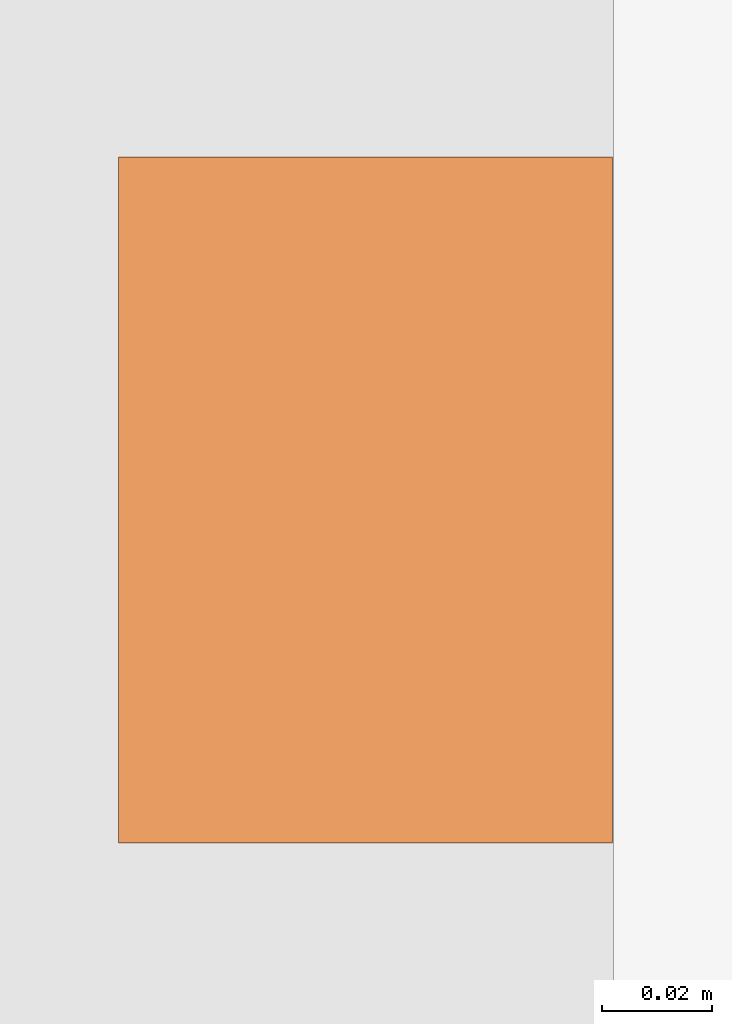
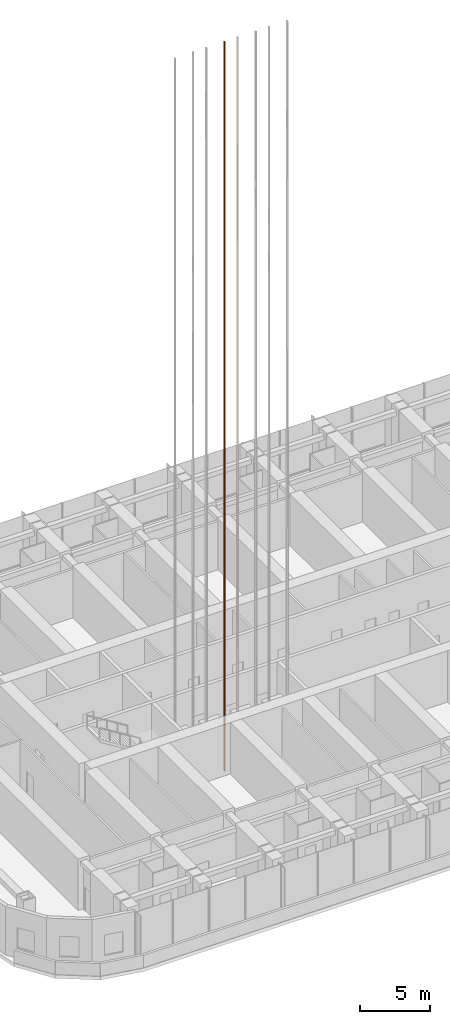
# One storey, part 27 of 31: 1 proxy.
"""IFC4 building model written with IfcOpenShell, lengths in metres."""

from ifc_helpers import new_model, si_unit, direction, frame, origin, origin_2d, place, context, subcontext, project, spatial, rectangle, extrude, material, element, save


model = new_model("IFC4")

# Units and contexts
model_context = context("Model", 3, precision=1e-05, world=origin(), true_north=direction((0.0, 1.0)))
body_context = subcontext(model_context, "Body", "Model", "MODEL_VIEW")
ifc_project = project(units=[si_unit("LENGTHUNIT", "METRE"), si_unit("AREAUNIT", "SQUARE_METRE"), si_unit("VOLUMEUNIT", "CUBIC_METRE"), si_unit("PLANEANGLEUNIT", "RADIAN"), si_unit("MASSUNIT", "GRAM", prefix="KILO")], contexts=[model_context])

# Site, building, storey
site_placement = place(None, origin())
site = spatial("IfcSite", under=ifc_project, at=site_placement, CompositionType="ELEMENT")
building_placement = place(site_placement, origin())
building = spatial("IfcBuilding", under=site, at=building_placement, Name="Orbita Commons", CompositionType="ELEMENT")
storey_placement = place(building_placement, frame((0.0, 0.0, 76.14990234375)))
storey = spatial("IfcBuildingStorey", under=building, at=storey_placement, Name="L18", CompositionType="ELEMENT", Elevation=76.14990234375)

# Proxy
ifc_material = material(Name="Machined steel guide rail", Category="steel")
placement = place(storey_placement, frame((29.89990234375, 28.10009765625, 0.0), z_axis=(0.0, 0.0, 1.0), x_axis=(1.0, 0.0, 0.0)))
proxy_placement = place(placement, frame((0.7548828125, 0.0, -1.800048828125)))
element("IfcBuildingElementProxy", 1, at=proxy_placement, inside=storey, material=ifc_material, Name="P22 guide rail 2", ObjectType="GUIDE RAIL", PredefinedType="USERDEFINED", context=body_context, shape_type="SweptSolid", body=[
    extrude(rectangle(XDim=0.09, YDim=0.125, at=origin_2d()), origin(), (0.0, 0.0, 1.0), 63.89990234375),
])

save(model, "model.ifc")
